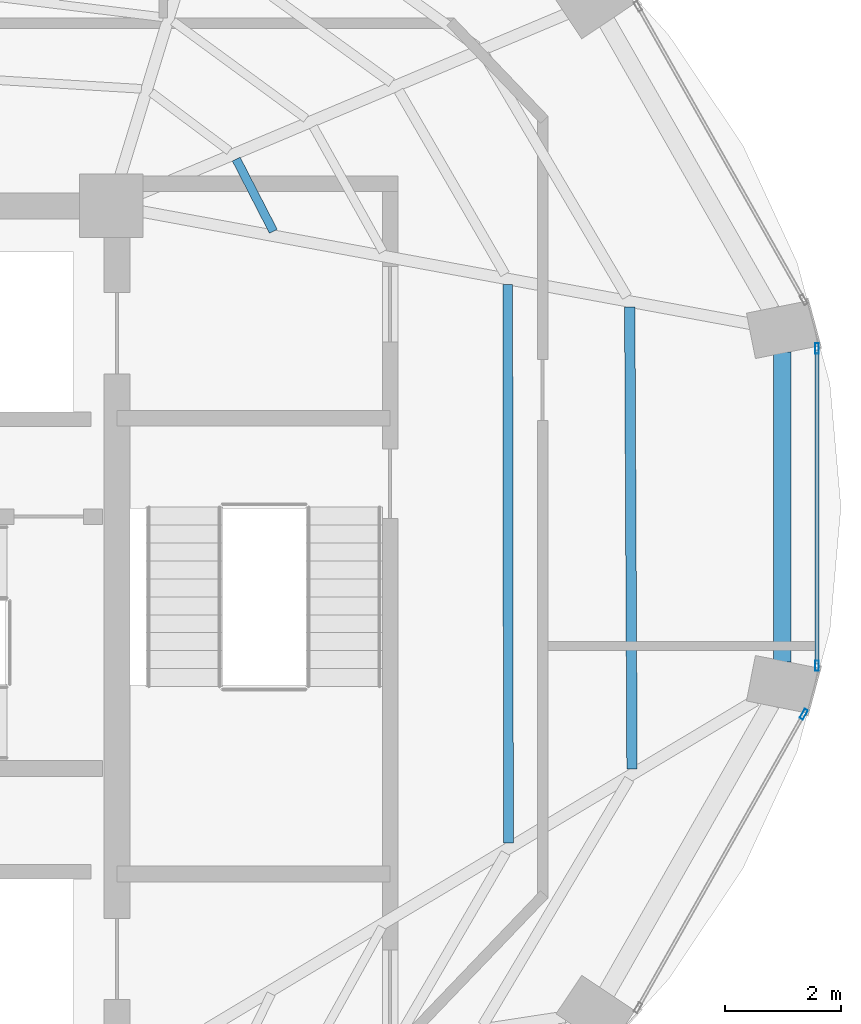
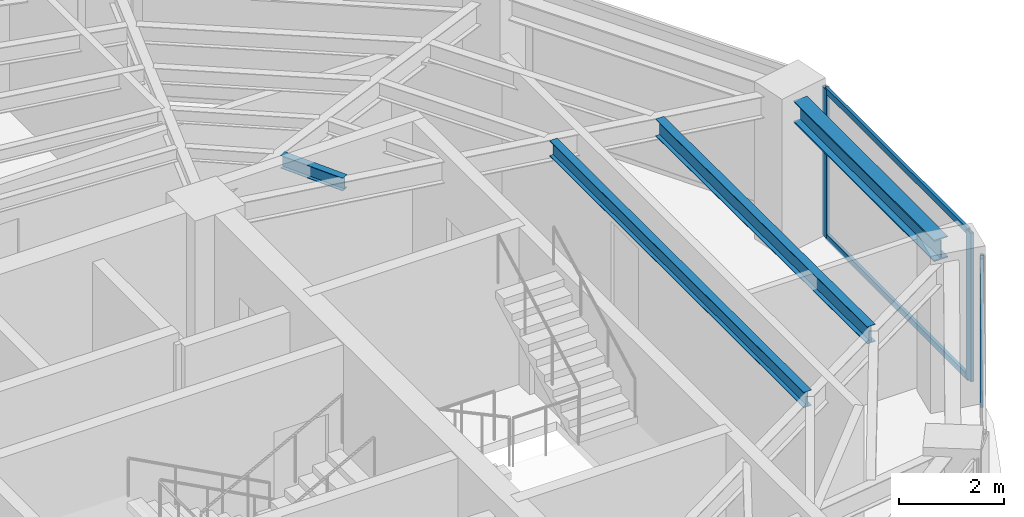
# One storey, part 14 of 22: 5 members, 4 beams, 2 elements without a shape of their own.
"""IFC4 building model written with IfcOpenShell, lengths in metres."""

import ifcopenshell
import ifcopenshell.guid

model = None  # the IFC model being written
_history = None  # IfcOwnerHistory: only IFC2X3 demands one
_inside = {}  # id of a spatial element -> (the spatial element, [elements in it])
_under = {}  # id of a project, library or spatial element -> (it, [spatial elements below it])
_declared = {}  # id of a project -> (the project, [libraries it declares])
_typed = {}  # id of a type object -> (the type object, [elements of that type])
_made_of = {}  # id of a material, layer set ... -> (it, [elements and type objects made of it])


def new_model(schema):
    """Start an empty IFC model of exactly this schema.

    Asked for "IFC4X3", IfcOpenShell would pick the latest addendum, in which some entities
    have other attributes; the version numbers below select the first issue.
    IFC2X3 requires an IfcOwnerHistory on every rooted entity: one is made here for all.
    """
    global model, _history
    if schema == "IFC4X3":
        model = ifcopenshell.file(schema_version=(4, 3, 0, 0))
    else:
        model = ifcopenshell.file(schema=schema)
    _inside.clear()
    _under.clear()
    _declared.clear()
    _typed.clear()
    _made_of.clear()
    _history = None
    if model.schema == "IFC2X3":
        org = make("IfcOrganization", Name="unknown")
        user = make(
            "IfcPersonAndOrganization",
            ThePerson=make("IfcPerson", FamilyName="unknown"),
            TheOrganization=org,
        )
        app = make(
            "IfcApplication",
            ApplicationDeveloper=org,
            Version="unknown",
            ApplicationFullName="unknown",
            ApplicationIdentifier="unknown",
        )
        _history = make(
            "IfcOwnerHistory",
            OwningUser=user,
            OwningApplication=app,
            ChangeAction="ADDED",
            CreationDate=0,
        )
    return model


def make(cls, **values):
    """One entity of the class cls with the attributes given. An attribute that is None is left unset."""
    return model.create_entity(
        cls, **{name: value for name, value in values.items() if value is not None}
    )


def rooted(cls, **values):
    """An entity with a GlobalId (a new one), such as an element, a storey or a relation."""
    return make(cls, GlobalId=ifcopenshell.guid.new(), OwnerHistory=_history, **values)


def si_unit(unit_type, name, prefix=None):
    """IfcSIUnit, for example si_unit("LENGTHUNIT", "METRE", prefix="MILLI")."""
    return make("IfcSIUnit", UnitType=unit_type, Prefix=prefix, Name=name)


def assignment(units):
    """IfcUnitAssignment: the units of a project."""
    return None if units is None else make("IfcUnitAssignment", Units=units)


def point(xyz):
    """IfcCartesianPoint."""
    return None if xyz is None else make("IfcCartesianPoint", Coordinates=xyz)


def direction(xyz):
    """IfcDirection."""
    return None if xyz is None else make("IfcDirection", DirectionRatios=xyz)


def frame(location, z_axis=None, x_axis=None):
    """IfcAxis2Placement3D, a coordinate frame: its origin and axes. An axis left out is left unset."""
    return make(
        "IfcAxis2Placement3D",
        Location=point(location),
        Axis=direction(z_axis),
        RefDirection=direction(x_axis),
    )


def frame_2d(location, x_axis=None):
    """IfcAxis2Placement2D, a coordinate frame in the plane: its origin and x axis."""
    return make(
        "IfcAxis2Placement2D", Location=point(location), RefDirection=direction(x_axis)
    )


def origin():
    """The frame at (0, 0, 0) with its axes left unset."""
    return frame((0.0, 0.0, 0.0))


def origin_2d():
    """The frame at (0, 0) in the plane with its x axis left unset."""
    return frame_2d((0.0, 0.0))


def place(relative_to, where):
    """IfcLocalPlacement: puts the frame where relative to a parent placement (None: the world)."""
    return make(
        "IfcLocalPlacement", PlacementRelTo=relative_to, RelativePlacement=where
    )


def context(
    kind, dimensions, precision=None, world=None, true_north=None, identifier=None
):
    """IfcGeometricRepresentationContext, for example the 3D "Model" context."""
    return make(
        "IfcGeometricRepresentationContext",
        ContextIdentifier=identifier,
        ContextType=kind,
        CoordinateSpaceDimension=dimensions,
        Precision=precision,
        WorldCoordinateSystem=world,
        TrueNorth=true_north,
    )


def subcontext(parent, identifier, kind, view, scale=None):
    """IfcGeometricRepresentationSubContext, for example "Body" below "Model"."""
    return make(
        "IfcGeometricRepresentationSubContext",
        ContextIdentifier=identifier,
        ContextType=kind,
        ParentContext=parent,
        TargetScale=scale,
        TargetView=view,
    )


def project(units=None, contexts=None):
    """IfcProject with its units and contexts."""
    return rooted(
        "IfcProject",
        Name="project",
        RepresentationContexts=contexts,
        UnitsInContext=assignment(units),
    )


def spatial(cls, under=None, at=None, **own):
    """A site, building, storey or space (cls), placed at a placement, below another one or the project."""
    s = rooted(cls, ObjectPlacement=at, **own)
    if under is not None:
        _under.setdefault(under.id(), (under, []))[1].append(s)
    return s


def profile(cls, at=None, kind="AREA", **sizes):
    """A parametric profile (cls). Its sizes go by their IFC names, for example OverallWidth=200.0."""
    return make(cls, ProfileType=kind, Position=at, **sizes)


def hollow_rectangle(**sizes):
    """IfcRectangleHollowProfileDef."""
    return profile("IfcRectangleHollowProfileDef", **sizes)


def i_section(**sizes):
    """IfcIShapeProfileDef."""
    return profile("IfcIShapeProfileDef", **sizes)


def extrude(swept, where, along, depth):
    """IfcExtrudedAreaSolid: the profile swept, set in the frame where, extruded along a direction by depth."""
    return make(
        "IfcExtrudedAreaSolid",
        SweptArea=swept,
        Position=where,
        ExtrudedDirection=direction(along),
        Depth=depth,
    )


def shape(context_of_items, identifier, shape_type, items):
    """IfcShapeRepresentation: the items that make up one representation, for example the "Body"."""
    return make(
        "IfcShapeRepresentation",
        ContextOfItems=context_of_items,
        RepresentationIdentifier=identifier,
        RepresentationType=shape_type,
        Items=items,
    )


def material(Name=None, Category=None):
    """IfcMaterial."""
    return make("IfcMaterial", Name=Name, Category=Category)


def layer(
    of_material, thickness, ventilated=None, Name=None, Category=None, Priority=None
):
    """IfcMaterialLayer: one layer of a wall or slab, of a material (None: an air gap)."""
    return make(
        "IfcMaterialLayer",
        Material=of_material,
        LayerThickness=thickness,
        IsVentilated=ventilated,
        Name=Name,
        Category=Category,
        Priority=Priority,
    )


def layer_set(layers, Name=None):
    """IfcMaterialLayerSet."""
    return make("IfcMaterialLayerSet", MaterialLayers=layers, LayerSetName=Name)


def material_profile(
    of_material, cross_section, Name=None, Category=None, Priority=None
):
    """IfcMaterialProfile: a cross section and its material."""
    return make(
        "IfcMaterialProfile",
        Name=Name,
        Material=of_material,
        Profile=cross_section,
        Priority=Priority,
        Category=Category,
    )


def profile_set(profiles, Name=None, composite=None):
    """IfcMaterialProfileSet."""
    return make(
        "IfcMaterialProfileSet",
        Name=Name,
        MaterialProfiles=profiles,
        CompositeProfile=composite,
    )


def made_of(thing, what):
    """Note that an element or type object is made of a material, layer set ...; save() writes the relation."""
    if what is not None:
        _made_of.setdefault(what.id(), (what, []))[1].append(thing)
    return thing


def type_object(cls, material=None, **own):
    """A type object (cls), such as IfcWallType, which elements share."""
    return made_of(rooted(cls, **own), material)


def element(
    cls,
    number,
    at=None,
    inside=None,
    cuts=None,
    type_object=None,
    material=None,
    context=None,
    identifier="Body",
    shape_type=None,
    held_by="IfcProductDefinitionShape",
    body=None,
    shapes=None,
    **own,
):
    """One element of the class cls, such as IfcWall. Its Tag is "e" and its number.

    at: its placement. inside: the storey or other place that contains it. cuts: it is an
    opening in that element (IfcRelVoidsElement). A single representation is given by context,
    identifier, shape_type and body (its items); several are given by shapes. held_by: the class
    of the entity that holds the representations. save() writes the other relations.
    """
    e = rooted(cls, Tag="e%d" % number, ObjectPlacement=at, **own)
    if body is not None:
        shapes = [shape(context, identifier, shape_type, body)]
    if shapes is not None:
        e.Representation = make(held_by, Representations=shapes)
    if inside is not None:
        _inside.setdefault(inside.id(), (inside, []))[1].append(e)
    if cuts is not None:
        rooted(
            "IfcRelVoidsElement", RelatingBuildingElement=cuts, RelatedOpeningElement=e
        )
    if type_object is not None:
        _typed.setdefault(type_object.id(), (type_object, []))[1].append(e)
    return made_of(e, material)


def aggregate(whole, parts):
    """IfcRelAggregates: a whole, such as a stair, and the parts it consists of."""
    return rooted("IfcRelAggregates", RelatingObject=whole, RelatedObjects=parts)


def save(model, path):
    """Write the relations noted so far, then the file.

    IfcRelAggregates (storeys below a building ...), IfcRelContainedInSpatialStructure (elements
    in a storey), IfcRelDefinesByType, IfcRelAssociatesMaterial and IfcRelDeclares: one each for
    every whole, place, type object, material and project.
    """
    for whole, parts in _under.values():
        aggregate(whole, parts)
    for where, things in _inside.values():
        rooted(
            "IfcRelContainedInSpatialStructure",
            RelatedElements=things,
            RelatingStructure=where,
        )
    for kind, things in _typed.values():
        rooted("IfcRelDefinesByType", RelatedObjects=things, RelatingType=kind)
    for what, things in _made_of.values():
        rooted("IfcRelAssociatesMaterial", RelatedObjects=things, RelatingMaterial=what)
    for by, libraries in _declared.values():
        rooted("IfcRelDeclares", RelatingContext=by, RelatedDefinitions=libraries)
    model.write(path)


model = new_model("IFC4")

# Units and contexts
model_context = context("Model", 3, precision=1e-05, world=origin(), true_north=direction((0.0, 1.0)))
body_context = subcontext(model_context, "Body", "Model", "MODEL_VIEW")
ifc_project = project(units=[si_unit("LENGTHUNIT", "METRE"), si_unit("AREAUNIT", "SQUARE_METRE"), si_unit("VOLUMEUNIT", "CUBIC_METRE"), si_unit("PLANEANGLEUNIT", "RADIAN"), si_unit("MASSUNIT", "GRAM", prefix="KILO")], contexts=[model_context])

# Site, building, storey
site_placement = place(None, origin())
site = spatial("IfcSite", under=ifc_project, at=site_placement, CompositionType="ELEMENT")
building_placement = place(site_placement, origin())
building = spatial("IfcBuilding", under=site, at=building_placement, Name="Lazwardi Medical Tower", CompositionType="ELEMENT")
storey_placement = place(building_placement, frame((0.0, 0.0, 238.60791015625)))
storey = spatial("IfcBuildingStorey", under=building, at=storey_placement, Name="L62", CompositionType="ELEMENT", Elevation=238.60791015625)

# Beams
ifc_material_1 = material(Name="Steel S355", Category="steel")
ifc_material_profile_1 = material_profile(ifc_material_1, i_section(OverallWidth=0.300048828125, OverallDepth=0.5, WebThickness=0.014404296875, FlangeThickness=0.028076171875, at=origin_2d()), Name="HEB 500")
ifc_profile_set_1 = profile_set([ifc_material_profile_1], Name="Steel S355")
beam_type_1 = type_object("IfcBeamType", Name="BM-RB-Z4", PredefinedType="BEAM", material=ifc_profile_set_1)
beam_1_placement = place(storey_placement, frame((57.18505859375, 27.72705078125, 3.197998046875), z_axis=(0.0, 1.0, 0.0), x_axis=(-1.0, 0.0, 0.0)))
element("IfcBeam", 1, at=beam_1_placement, inside=storey, type_object=beam_type_1, Name="Ring beam RB-05 B04 L62", PredefinedType="BEAM", context=body_context, shape_type="SweptSolid", body=[
    extrude(i_section(OverallWidth=0.300048828125, OverallDepth=0.5, WebThickness=0.014404296875, FlangeThickness=0.028076171875, at=origin_2d()), origin(), (0.0, 0.0, 1.0), 5.345947265625),
])
ifc_material_profile_2 = material_profile(ifc_material_1, i_section(OverallWidth=0.179931640625, OverallDepth=0.39990234375, WebThickness=0.008544921875, FlangeThickness=0.013427734375, at=origin_2d()), Name="IPE 400")
ifc_profile_set_2 = profile_set([ifc_material_profile_2], Name="Steel S355")
beam_type_2 = type_object("IfcBeamType", Name="BM-SJ-01", PredefinedType="JOIST", material=ifc_profile_set_2)
beam_2_placement = place(storey_placement, frame((54.592041015625, 25.879638671875, 3.248046875), z_axis=(-0.004929366644, 0.999987850598, 0.0), x_axis=(-0.999987850598, -0.004929366644, 0.0)))
element("IfcBeam", 2, at=beam_2_placement, inside=storey, type_object=beam_type_2, Name="Secondary joist SJ-01 R1 B04 L62", PredefinedType="JOIST", context=body_context, shape_type="SweptSolid", body=[
    extrude(i_section(OverallWidth=0.179931640625, OverallDepth=0.39990234375, WebThickness=0.008544921875, FlangeThickness=0.013427734375, at=origin_2d()), origin(), (0.0, 0.0, 1.0), 7.973876953125),
])
ifc_material_profile_3 = material_profile(ifc_material_1, i_section(OverallWidth=0.169921875, OverallDepth=0.360107421875, WebThickness=0.008056640625, FlangeThickness=0.0126953125, at=origin_2d()), Name="IPE 360")
ifc_profile_set_3 = profile_set([ifc_material_profile_3], Name="Steel S355")
beam_type_3 = type_object("IfcBeamType", Name="BM-SJ-02", PredefinedType="JOIST", material=ifc_profile_set_3)
beam_3_placement = place(storey_placement, frame((52.458984375, 24.602294921875, 3.26806640625), z_axis=(-0.001367606673, 0.999999064826, 0.0), x_axis=(-0.999999064826, -0.001367606673, 0.0)))
element("IfcBeam", 3, at=beam_3_placement, inside=storey, type_object=beam_type_3, Name="Secondary joist SJ-02 R2 B04 L62", PredefinedType="JOIST", context=body_context, shape_type="SweptSolid", body=[
    extrude(i_section(OverallWidth=0.169921875, OverallDepth=0.360107421875, WebThickness=0.008056640625, FlangeThickness=0.0126953125, at=origin_2d()), origin(), (0.0, 0.0, 1.0), 9.639892578125),
])
ifc_material_profile_4 = material_profile(ifc_material_1, i_section(OverallWidth=0.14990234375, OverallDepth=0.300048828125, WebThickness=0.007080078125, FlangeThickness=0.0107421875, at=origin_2d()), Name="IPE 300")
ifc_profile_set_4 = profile_set([ifc_material_profile_4], Name="Steel S355")
beam_type_4 = type_object("IfcBeamType", Name="BM-SJ-03", PredefinedType="JOIST", material=ifc_profile_set_4)
beam_4_placement = place(storey_placement, frame((48.39990234375, 35.159912109375, 3.298095703125), z_axis=(-0.457285056668, 0.889320176848, 0.0), x_axis=(-0.889320176848, -0.457285056668, 0.0)))
element("IfcBeam", 4, at=beam_4_placement, inside=storey, type_object=beam_type_4, Name="Secondary joist SJ-03 R4 B05 L62", PredefinedType="JOIST", context=body_context, shape_type="SweptSolid", body=[
    extrude(i_section(OverallWidth=0.14990234375, OverallDepth=0.300048828125, WebThickness=0.007080078125, FlangeThickness=0.0107421875, at=origin_2d()), origin(), (0.0, 0.0, 1.0), 1.402099609375),
])

# Curtain wall, member
ifc_material_2 = material(Name="Anodised bronze aluminium and solar control glazing", Category="aluminium")
ifc_layer = layer(ifc_material_2, 0.18994140625)
ifc_layer_set = layer_set([ifc_layer], Name="Anodised bronze aluminium and solar control glazing")
curtain_wall_type = type_object("IfcCurtainWallType", Name="CW-SYS-04", PredefinedType="NOTDEFINED", material=ifc_layer_set)
curtain_wall_1_placement = place(storey_placement, origin())
curtain_wall_1 = element("IfcCurtainWall", 5, at=curtain_wall_1_placement, inside=storey, type_object=curtain_wall_type, Name="L62 Unitised bronze curtain wall CW-04", PredefinedType="NOTDEFINED")
ifc_material_3 = material(Name="Anodised bronze aluminium", Category="aluminium")
ifc_material_profile_5 = material_profile(ifc_material_3, hollow_rectangle(XDim=0.06494140625, YDim=0.179931640625, WallThickness=0.00390625, at=origin_2d()), Name="ALU-MULLION 180x65x4")
ifc_profile_set_5 = profile_set([ifc_material_profile_5], Name="Anodised bronze aluminium")
member_type_1 = type_object("IfcMemberType", Name="CW-MUL-03", PredefinedType="MULLION", material=ifc_profile_set_5)
member_1_placement = place(storey_placement, frame((57.557373046875, 26.82177734375, 0.0), z_axis=(0.0, 0.0, 1.0), x_axis=(-0.870651436011, 0.491900474661, 0.0)))
member_1 = element("IfcMember", 6, at=member_1_placement, type_object=member_type_1, Name="CW-04 mullion 2", PredefinedType="MULLION", context=body_context, shape_type="SweptSolid", body=[
    extrude(hollow_rectangle(XDim=0.06494140625, YDim=0.179931640625, WallThickness=0.00390625, at=origin_2d()), origin(), (0.0, 0.0, 1.0), 3.447998046875),
])
aggregate(curtain_wall_1, [member_1])

# Curtain wall, members
curtain_wall_2_placement = place(storey_placement, origin())
curtain_wall_2 = element("IfcCurtainWall", 7, at=curtain_wall_2_placement, inside=storey, type_object=curtain_wall_type, Name="L62 Unitised bronze curtain wall CW-04", PredefinedType="NOTDEFINED")
member_2_placement = place(storey_placement, frame((57.7841796875, 27.659423828125, 0.0), z_axis=(0.0, 0.0, 1.0), x_axis=(-1.0, 0.0, 0.0)))
member_2 = element("IfcMember", 8, at=member_2_placement, type_object=member_type_1, Name="CW-04 mullion 1", PredefinedType="MULLION", context=body_context, shape_type="SweptSolid", body=[
    extrude(hollow_rectangle(XDim=0.06494140625, YDim=0.179931640625, WallThickness=0.00390625, at=origin_2d()), origin(), (0.0, 0.0, 1.0), 3.447998046875),
])
member_3_placement = place(storey_placement, frame((57.7841796875, 33.140380859375, 0.0), z_axis=(0.0, 0.0, 1.0), x_axis=(-1.0, 0.0, 0.0)))
member_3 = element("IfcMember", 9, at=member_3_placement, type_object=member_type_1, Name="CW-04 mullion 2", PredefinedType="MULLION", context=body_context, shape_type="SweptSolid", body=[
    extrude(hollow_rectangle(XDim=0.06494140625, YDim=0.179931640625, WallThickness=0.00390625, at=origin_2d()), origin(), (0.0, 0.0, 1.0), 3.447998046875),
])
ifc_material_profile_6 = material_profile(ifc_material_3, hollow_rectangle(XDim=0.06494140625, YDim=0.139892578125, WallThickness=0.00341796875, at=origin_2d()), Name="ALU-TRANSOM 140x65x3.5")
ifc_profile_set_6 = profile_set([ifc_material_profile_6], Name="Anodised bronze aluminium")
member_type_2 = type_object("IfcMemberType", Name="CW-TRN-03", PredefinedType="USERDEFINED", material=ifc_profile_set_6)
member_4_placement = place(storey_placement, frame((57.7841796875, 27.69189453125, 0.032470703125), z_axis=(0.0, 1.0, 0.0), x_axis=(-1.0, 0.0, 0.0)))
member_4 = element("IfcMember", 10, at=member_4_placement, type_object=member_type_2, Name="CW-04 transom 1.1", ObjectType="TRANSOM", PredefinedType="USERDEFINED", context=body_context, shape_type="SweptSolid", body=[
    extrude(hollow_rectangle(XDim=0.06494140625, YDim=0.139892578125, WallThickness=0.00341796875, at=origin_2d()), origin(), (0.0, 0.0, 1.0), 5.416015625),
])
member_5_placement = place(storey_placement, frame((57.7841796875, 27.69189453125, 3.41552734375), z_axis=(0.0, 1.0, 0.0), x_axis=(-1.0, 0.0, 0.0)))
member_5 = element("IfcMember", 11, at=member_5_placement, type_object=member_type_2, Name="CW-04 transom 1.2", ObjectType="TRANSOM", PredefinedType="USERDEFINED", context=body_context, shape_type="SweptSolid", body=[
    extrude(hollow_rectangle(XDim=0.06494140625, YDim=0.139892578125, WallThickness=0.00341796875, at=origin_2d()), origin(), (0.0, 0.0, 1.0), 5.416015625),
])
aggregate(curtain_wall_2, [member_2, member_3, member_4, member_5])

save(model, "model.ifc")
